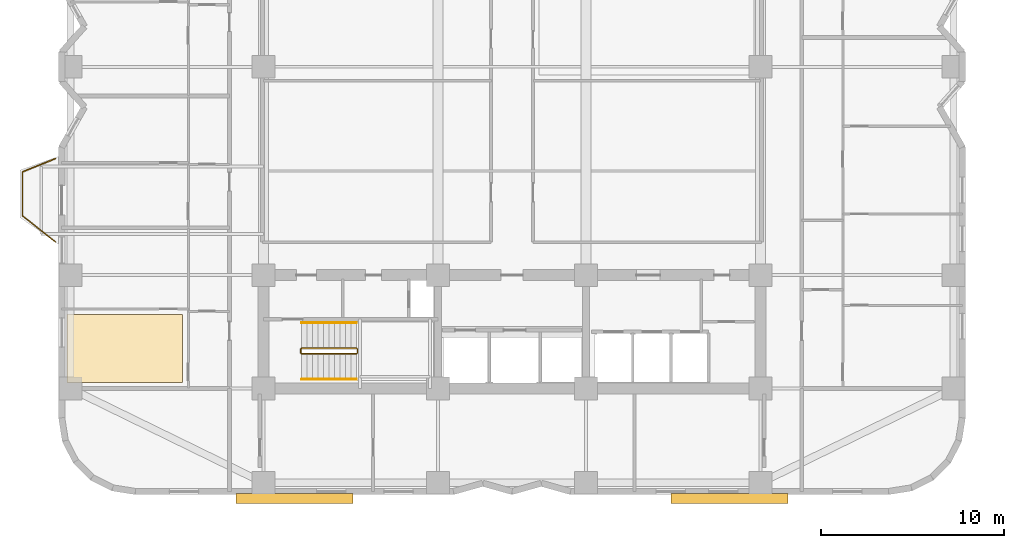
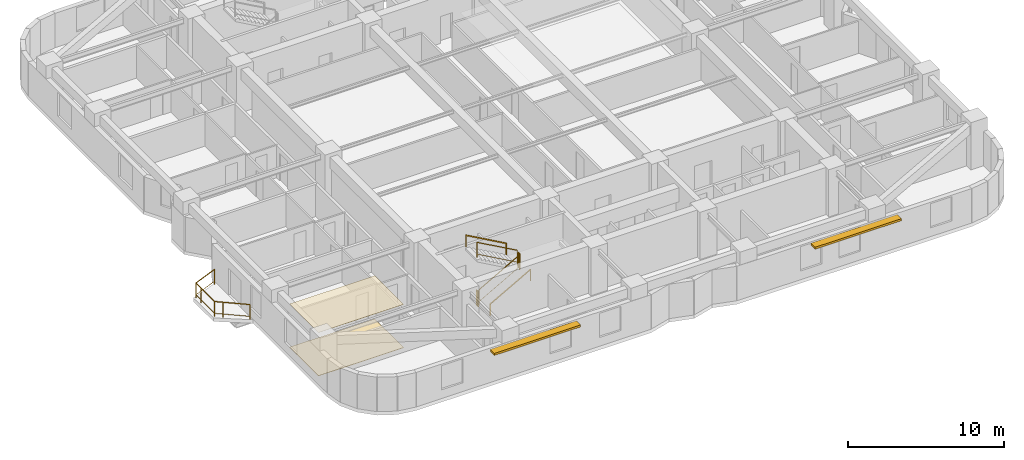
# One storey, part 8 of 9: 7 railings, 2 coverings, 2 shading devices.
"""IFC4 building model written with IfcOpenShell, lengths in metres."""

from ifc_helpers import new_model, si_unit, direction, frame, origin, origin_2d, place, context, subcontext, project, spatial, polyline, rectangle, outline, extrude, material, layer, layer_set, type_object, element, save


model = new_model("IFC4")

# Units and contexts
model_context = context("Model", 3, precision=1e-05, world=origin(), true_north=direction((0.0, 1.0)))
body_context = subcontext(model_context, "Body", "Model", "MODEL_VIEW")
ifc_project = project(units=[si_unit("LENGTHUNIT", "METRE"), si_unit("AREAUNIT", "SQUARE_METRE"), si_unit("VOLUMEUNIT", "CUBIC_METRE"), si_unit("PLANEANGLEUNIT", "RADIAN"), si_unit("MASSUNIT", "GRAM", prefix="KILO")], contexts=[model_context])

# Site, building, storey
site_placement = place(None, origin())
site = spatial("IfcSite", under=ifc_project, at=site_placement, CompositionType="ELEMENT")
building_placement = place(site_placement, origin())
building = spatial("IfcBuilding", under=site, at=building_placement, Name="Svetorya Sky Lyceum", CompositionType="ELEMENT")
storey_placement = place(building_placement, frame((0.0, 0.0, 47.300048828125)))
storey = spatial("IfcBuildingStorey", under=building, at=storey_placement, Name="L11", CompositionType="ELEMENT", Elevation=47.300048828125)

# Coverings
ifc_material_1 = material(Name="Perforated acoustic gypsum ceiling board")
ifc_layer_1 = layer(ifc_material_1, 0.01806640625)
ifc_layer_set_1 = layer_set([ifc_layer_1], Name="Perforated acoustic gypsum ceiling board")
covering_type_1 = type_object("IfcCoveringType", Name="COV-CLG-GYP", PredefinedType="CEILING", material=ifc_layer_set_1)
covering_1_placement = place(storey_placement, frame((0.0, 0.0, 3.40185546875)))
element("IfcCovering", 1, at=covering_1_placement, inside=storey, type_object=covering_type_1, Name="Apartment W1 Living Room Acoustic Ceiling", PredefinedType="CEILING", context=body_context, shape_type="SweptSolid", body=[
    extrude(outline(polyline([(14.8701171875, 10.929931640625), (21.18994140625, 10.929931640625), (21.18994140625, 14.639892578125), (14.8701171875, 14.639892578125), (14.8701171875, 10.929931640625)])), origin(), (0.0, 0.0, 1.0), 0.01806640625),
])
ifc_material_2 = material(Name="Honed Karelian granite terrazzo flooring", Category="masonry")
ifc_layer_2 = layer(ifc_material_2, 0.030029296875)
ifc_layer_set_2 = layer_set([ifc_layer_2], Name="Honed Karelian granite terrazzo flooring")
covering_type_2 = type_object("IfcCoveringType", Name="COV-FLR-TER", PredefinedType="FLOORING", material=ifc_layer_set_2)
covering_2_placement = place(storey_placement, origin())
element("IfcCovering", 2, at=covering_2_placement, inside=storey, type_object=covering_type_2, Name="Apartment W1 Living Room Architectural Flooring", PredefinedType="FLOORING", context=body_context, shape_type="SweptSolid", body=[
    extrude(outline(polyline([(14.8701171875, 10.929931640625), (21.18994140625, 10.929931640625), (21.18994140625, 14.639892578125), (14.8701171875, 14.639892578125), (14.8701171875, 10.929931640625)])), origin(), (0.0, 0.0, 1.0), 0.030029296875),
])

# Railings
ifc_material_3 = material(Name="Laminated safety glass and stainless AISI 316", Category="glass")
railing_type_1 = type_object("IfcRailingType", Name="RL-BAL-1200", PredefinedType="BALUSTRADE", material=ifc_material_3)
railing_1_placement = place(storey_placement, frame((14.22998046875, 18.6201171875, 0.0)))
element("IfcRailing", 3, at=railing_1_placement, inside=storey, type_object=railing_type_1, Name="L11 Balcony Balustrade BAL-W1", PredefinedType="BALUSTRADE", context=body_context, shape_type="SweptSolid", body=[
    extrude(rectangle(XDim=0.048095703125, YDim=0.048095703125, at=origin_2d()), frame((0.0, 0.0, 1.17578125), z_axis=(-0.783008919264, 0.622010476079, 0.0), x_axis=(-0.622010476079, -0.783008919264, 0.0)), (0.0, 0.0, 1.0), 2.298828125),
    extrude(rectangle(XDim=0.02392578125, YDim=0.02392578125, at=origin_2d()), frame((0.0, 0.0, 0.25), z_axis=(-0.783008919264, 0.622010476079, 0.0), x_axis=(-0.622010476079, -0.783008919264, 0.0)), (0.0, 0.0, 1.0), 2.298828125),
    extrude(rectangle(XDim=0.048095703125, YDim=0.048095703125, at=origin_2d()), frame((-1.800048828125, 1.429931640625, 1.17578125), z_axis=(0.0, 1.0, 0.0), x_axis=(-1.0, 0.0, 0.0)), (0.0, 0.0, 1.0), 2.39990234375),
    extrude(rectangle(XDim=0.02392578125, YDim=0.02392578125, at=origin_2d()), frame((-1.800048828125, 1.429931640625, 0.25), z_axis=(0.0, 1.0, 0.0), x_axis=(-1.0, 0.0, 0.0)), (0.0, 0.0, 1.0), 2.39990234375),
    extrude(rectangle(XDim=0.048095703125, YDim=0.048095703125, at=origin_2d()), frame((-1.800048828125, 3.829833984375, 1.17578125), z_axis=(0.926697865975, 0.375807218129, 0.0), x_axis=(-0.375807218129, 0.926697865975, 0.0)), (0.0, 0.0, 1.0), 1.9423828125),
    extrude(rectangle(XDim=0.02392578125, YDim=0.02392578125, at=origin_2d()), frame((-1.800048828125, 3.829833984375, 0.25), z_axis=(0.926697865975, 0.375807218129, 0.0), x_axis=(-0.375807218129, 0.926697865975, 0.0)), (0.0, 0.0, 1.0), 1.9423828125),
    extrude(rectangle(XDim=0.0419921875, YDim=0.0419921875, at=origin_2d()), origin(), (0.0, 0.0, 1.0), 1.15185546875),
    extrude(rectangle(XDim=0.0419921875, YDim=0.0419921875, at=origin_2d()), frame((-1.370361328125, 1.088623046875, 0.0)), (0.0, 0.0, 1.0), 1.15185546875),
    extrude(rectangle(XDim=0.0419921875, YDim=0.0419921875, at=origin_2d()), frame((-1.800048828125, 1.429931640625, 0.0)), (0.0, 0.0, 1.0), 1.15185546875),
    extrude(rectangle(XDim=0.0419921875, YDim=0.0419921875, at=origin_2d()), frame((-1.800048828125, 3.179931640625, 0.0)), (0.0, 0.0, 1.0), 1.15185546875),
    extrude(rectangle(XDim=0.0419921875, YDim=0.0419921875, at=origin_2d()), frame((-1.800048828125, 3.829833984375, 0.0)), (0.0, 0.0, 1.0), 1.15185546875),
    extrude(rectangle(XDim=0.0419921875, YDim=0.0419921875, at=origin_2d()), frame((0.0, 4.559814453125, 0.0)), (0.0, 0.0, 1.0), 1.15185546875),
])
ifc_material_4 = material(Name="Painted galvanized stair well guard")
railing_type_2 = type_object("IfcRailingType", Name="RL-STR-GUARD-1200", PredefinedType="GUARDRAIL", material=ifc_material_4)
railing_2_placement = place(storey_placement, frame((27.699951171875, 12.5, 0.168212890625)))
element("IfcRailing", 4, at=railing_2_placement, inside=storey, type_object=railing_type_2, Name="L11 ST-S stair guard 1", PredefinedType="GUARDRAIL", context=body_context, shape_type="SweptSolid", body=[
    extrude(rectangle(XDim=0.048095703125, YDim=0.048095703125, at=origin_2d()), frame((0.0, 0.0, 1.17578125), z_axis=(0.872302573547, 0.0, 0.488966481656), x_axis=(0.0, 1.0, 0.0)), (0.0, 0.0, 1.0), 3.439208984375),
    extrude(rectangle(XDim=0.02392578125, YDim=0.02392578125, at=origin_2d()), frame((0.0, 0.0, 0.25), z_axis=(0.872302573547, 0.0, 0.488966481656), x_axis=(0.0, 1.0, 0.0)), (0.0, 0.0, 1.0), 3.439208984375),
    extrude(rectangle(XDim=0.0419921875, YDim=0.0419921875, at=origin_2d()), origin(), (0.0, 0.0, 1.0), 1.15185546875),
    extrude(rectangle(XDim=0.0419921875, YDim=0.0419921875, at=origin_2d()), frame((3.0, 0.0, 1.681640625)), (0.0, 0.0, 1.0), 1.15185546875),
])
railing_3_placement = place(storey_placement, frame((30.75, 12.550048828125, 1.849853515625)))
element("IfcRailing", 5, at=railing_3_placement, inside=storey, type_object=railing_type_2, Name="L11 ST-S stair guard 2", PredefinedType="GUARDRAIL", context=body_context, shape_type="SweptSolid", body=[
    extrude(rectangle(XDim=0.048095703125, YDim=0.048095703125, at=origin_2d()), frame((0.0, 0.0, 1.17578125), z_axis=(0.0, 1.0, 0.0), x_axis=(-1.0, 0.0, 0.0)), (0.0, 0.0, 1.0), 0.199951171875),
    extrude(rectangle(XDim=0.02392578125, YDim=0.02392578125, at=origin_2d()), frame((0.0, 0.0, 0.25), z_axis=(0.0, 1.0, 0.0), x_axis=(-1.0, 0.0, 0.0)), (0.0, 0.0, 1.0), 0.199951171875),
    extrude(rectangle(XDim=0.0419921875, YDim=0.0419921875, at=origin_2d()), origin(), (0.0, 0.0, 1.0), 1.15185546875),
    extrude(rectangle(XDim=0.0419921875, YDim=0.0419921875, at=origin_2d()), frame((0.0, 0.199951171875, 0.0)), (0.0, 0.0, 1.0), 1.15185546875),
])
railing_4_placement = place(storey_placement, frame((30.699951171875, 12.800048828125, 2.01806640625)))
element("IfcRailing", 6, at=railing_4_placement, inside=storey, type_object=railing_type_2, Name="L11 ST-S stair guard 3", PredefinedType="GUARDRAIL", context=body_context, shape_type="SweptSolid", body=[
    extrude(rectangle(XDim=0.048095703125, YDim=0.048095703125, at=origin_2d()), frame((0.0, 0.0, 1.17578125), z_axis=(-0.872272294576, 0.0, 0.489020494575), x_axis=(0.0, -1.0, 0.0)), (0.0, 0.0, 1.0), 3.439208984375),
    extrude(rectangle(XDim=0.02392578125, YDim=0.02392578125, at=origin_2d()), frame((0.0, 0.0, 0.25), z_axis=(-0.872272294576, 0.0, 0.489020494575), x_axis=(0.0, -1.0, 0.0)), (0.0, 0.0, 1.0), 3.439208984375),
    extrude(rectangle(XDim=0.0419921875, YDim=0.0419921875, at=origin_2d()), origin(), (0.0, 0.0, 1.0), 1.15185546875),
    extrude(rectangle(XDim=0.0419921875, YDim=0.0419921875, at=origin_2d()), frame((-3.0, 0.0, 1.681884765625)), (0.0, 0.0, 1.0), 1.15185546875),
])
railing_5_placement = place(storey_placement, frame((27.64990234375, 12.550048828125, 0.0)))
element("IfcRailing", 7, at=railing_5_placement, inside=storey, type_object=railing_type_2, Name="L11 ST-S stair guard 4", PredefinedType="GUARDRAIL", context=body_context, shape_type="SweptSolid", body=[
    extrude(rectangle(XDim=0.048095703125, YDim=0.048095703125, at=origin_2d()), frame((0.0, 0.0, 1.17578125), z_axis=(0.0, 1.0, 0.0), x_axis=(-1.0, 0.0, 0.0)), (0.0, 0.0, 1.0), 0.199951171875),
    extrude(rectangle(XDim=0.02392578125, YDim=0.02392578125, at=origin_2d()), frame((0.0, 0.0, 0.25), z_axis=(0.0, 1.0, 0.0), x_axis=(-1.0, 0.0, 0.0)), (0.0, 0.0, 1.0), 0.199951171875),
    extrude(rectangle(XDim=0.0419921875, YDim=0.0419921875, at=origin_2d()), origin(), (0.0, 0.0, 1.0), 1.15185546875),
    extrude(rectangle(XDim=0.0419921875, YDim=0.0419921875, at=origin_2d()), frame((0.0, 0.199951171875, 0.0)), (0.0, 0.0, 1.0), 1.15185546875),
])
ifc_material_5 = material(Name="Brushed stainless AISI 304 stair handrail")
railing_type_3 = type_object("IfcRailingType", Name="RL-STR-HAND-920", PredefinedType="HANDRAIL", material=ifc_material_5)
railing_6_placement = place(storey_placement, frame((27.699951171875, 11.10009765625, 0.168212890625)))
element("IfcRailing", 8, at=railing_6_placement, inside=storey, type_object=railing_type_3, Name="L11 ST-S stair handrail 1", PredefinedType="HANDRAIL", context=body_context, shape_type="SweptSolid", body=[
    extrude(rectangle(XDim=0.048095703125, YDim=0.048095703125, at=origin_2d()), frame((0.0, 0.0, 0.8759765625), z_axis=(0.872302573547, 0.0, 0.488966481656), x_axis=(0.0, 1.0, 0.0)), (0.0, 0.0, 1.0), 3.439208984375),
    extrude(rectangle(XDim=0.0419921875, YDim=0.0419921875, at=origin_2d()), origin(), (0.0, 0.0, 1.0), 0.851806640625),
    extrude(rectangle(XDim=0.0419921875, YDim=0.0419921875, at=origin_2d()), frame((3.0, 0.0, 1.681640625)), (0.0, 0.0, 1.0), 0.851806640625),
])
railing_7_placement = place(storey_placement, frame((30.699951171875, 14.199951171875, 2.01806640625)))
element("IfcRailing", 9, at=railing_7_placement, inside=storey, type_object=railing_type_3, Name="L11 ST-S stair handrail 2", PredefinedType="HANDRAIL", context=body_context, shape_type="SweptSolid", body=[
    extrude(rectangle(XDim=0.048095703125, YDim=0.048095703125, at=origin_2d()), frame((0.0, 0.0, 0.8759765625), z_axis=(-0.872272294576, 0.0, 0.489020494575), x_axis=(0.0, -1.0, 0.0)), (0.0, 0.0, 1.0), 3.439208984375),
    extrude(rectangle(XDim=0.0419921875, YDim=0.0419921875, at=origin_2d()), origin(), (0.0, 0.0, 1.0), 0.851806640625),
    extrude(rectangle(XDim=0.0419921875, YDim=0.0419921875, at=origin_2d()), frame((-3.0, 0.0, 1.681884765625)), (0.0, 0.0, 1.0), 0.851806640625),
])

# Shading devices
ifc_material_6 = material(Name="Champagne-anodized extruded aluminium sunshade", Category="aluminium")
ifc_layer_3 = layer(ifc_material_6, 0.159912109375)
ifc_layer_set_3 = layer_set([ifc_layer_3], Name="Champagne-anodized extruded aluminium sunshade")
shading_device_type = type_object("IfcShadingDeviceType", Name="SHD-LVR-540", PredefinedType="AWNING", material=ifc_layer_set_3)
for number, where, z_axis, x_axis, name in (
    (10, (27.300048828125, 4.580078125, 2.39990234375), (0.0, 0.0, 1.0), (1.0, 0.0, 0.0), "L11 Solar Brise-Soleil SHD-1.6M"),
    (11, (51.10009765625, 4.580078125, 2.39990234375), (0.0, 0.0, 1.0), (1.0, 0.0, 0.0), "L11 Solar Brise-Soleil SHD-1.11M"),
):
    element("IfcShadingDevice", number, at=place(storey_placement, frame(where, z_axis=z_axis, x_axis=x_axis)), inside=storey, type_object=shading_device_type, Name=name, PredefinedType="AWNING", context=body_context, shape_type="SweptSolid", body=[
        extrude(rectangle(XDim=6.39990234375, YDim=0.5400390625, at=origin_2d()), origin(), (0.0, 0.0, 1.0), 0.159912109375),
    ])

save(model, "model.ifc")
